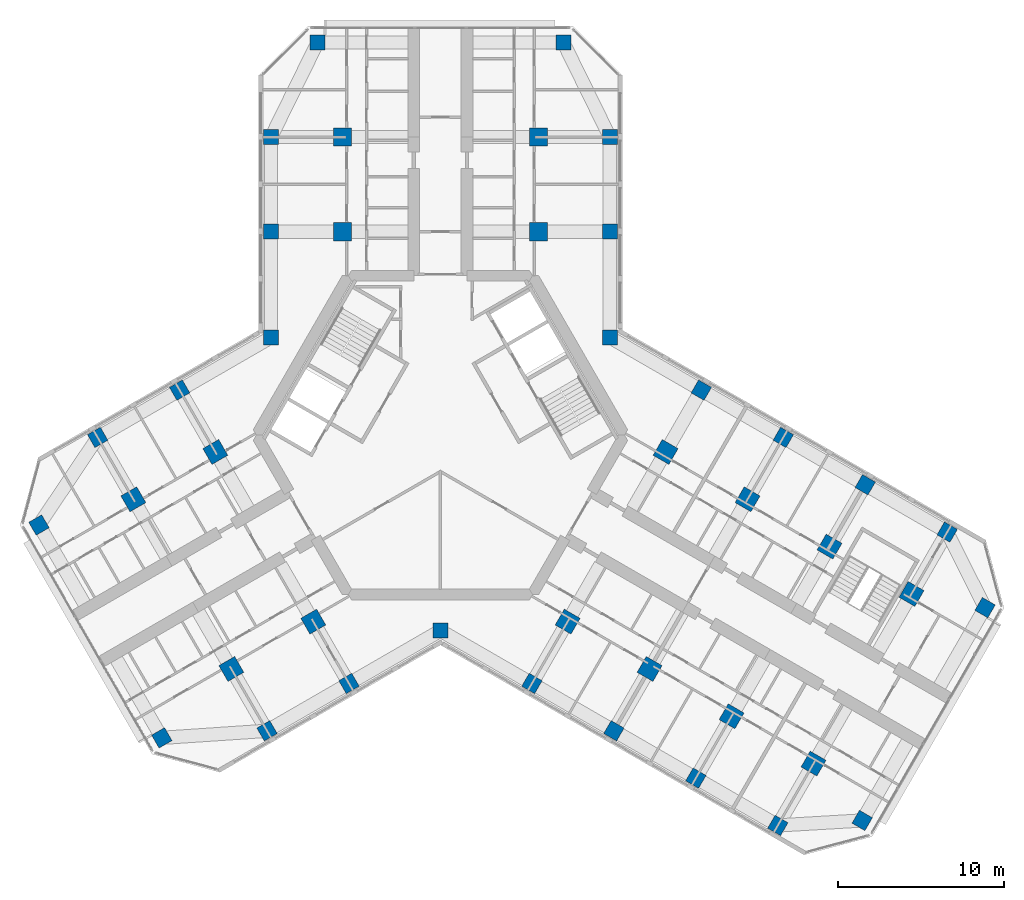
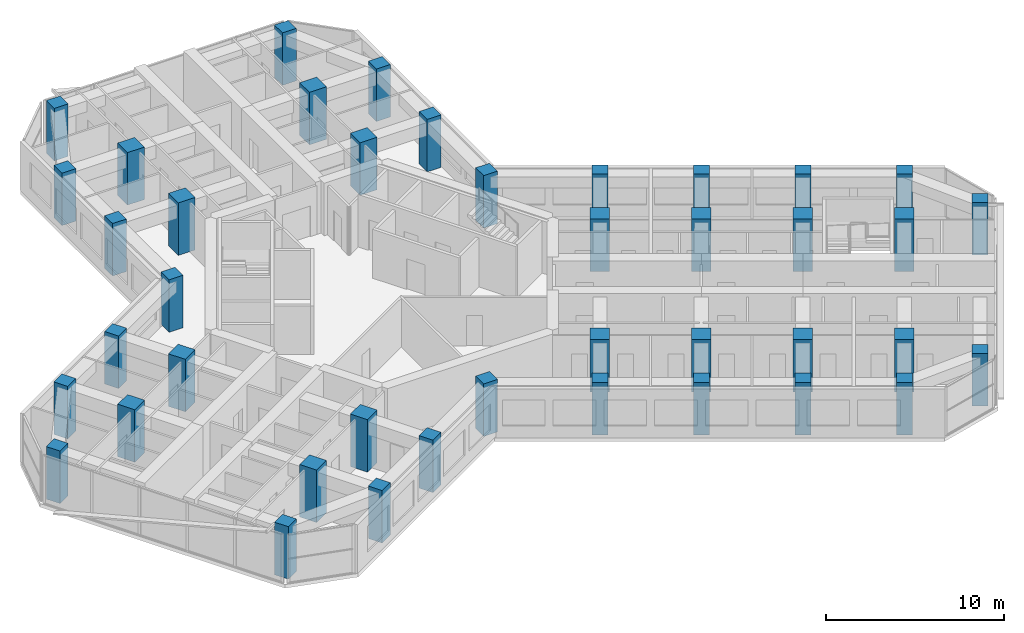
# One storey, part 1 of 16: 41 columns.
"""IFC4 building model written with IfcOpenShell, lengths in metres."""

from ifc_helpers import new_model, si_unit, direction, frame, origin, origin_2d, place, context, subcontext, project, spatial, rectangle, extrude, material, material_profile, profile_set, type_object, element, save


model = new_model("IFC4")

# Units and contexts
model_context = context("Model", 3, precision=1e-05, world=origin(), true_north=direction((0.0, 1.0)))
body_context = subcontext(model_context, "Body", "Model", "MODEL_VIEW")
ifc_project = project(units=[si_unit("LENGTHUNIT", "METRE"), si_unit("AREAUNIT", "SQUARE_METRE"), si_unit("VOLUMEUNIT", "CUBIC_METRE"), si_unit("PLANEANGLEUNIT", "RADIAN"), si_unit("MASSUNIT", "GRAM", prefix="KILO")], contexts=[model_context])

# Site, building, storey
site_placement = place(None, origin())
site = spatial("IfcSite", under=ifc_project, at=site_placement, CompositionType="ELEMENT")
building_placement = place(site_placement, origin())
building = spatial("IfcBuilding", under=site, at=building_placement, Name="Kosmar Iwan School Tower", CompositionType="ELEMENT")
storey_placement = place(building_placement, frame((0.0, 0.0, 201.0)))
storey = spatial("IfcBuildingStorey", under=building, at=storey_placement, Name="L50", CompositionType="ELEMENT", Elevation=201.0)

# Columns
ifc_material_1 = material(Name="Concrete C50/60", Category="concrete")
ifc_material_profile_1 = material_profile(ifc_material_1, rectangle(XDim=0.89990234375, YDim=0.89990234375, at=origin_2d()), Name="RC 900x900 + HD 400x347")
ifc_profile_set_1 = profile_set([ifc_material_profile_1], Name="Concrete C50/60")
column_type_1 = type_object("IfcColumnType", Name="Composite column 900x900 HD 400x347", PredefinedType="COLUMN", material=ifc_profile_set_1)
for number, where, z_axis, x_axis, name in (
    (1, (-10.199951171875, 12.25, 0.0), (0.0, 0.0, 1.0), (0.0, 1.0, 0.0), "Column AL1 L50"),
    (2, (-10.199951171875, 17.949951171875, 0.0), (0.0, 0.0, 1.0), (0.0, 1.0, 0.0), "Column AL2 L50"),
    (3, (-7.39990234375, 23.64990234375, 0.0), (0.0, 0.0, 1.0), (0.0, 1.0, 0.0), "Column ALTIP L50"),
    (4, (10.199951171875, 12.25, 0.0), (0.0, 0.0, 1.0), (0.0, 1.0, 0.0), "Column AR1 L50"),
    (5, (10.199951171875, 17.949951171875, 0.0), (0.0, 0.0, 1.0), (0.0, 1.0, 0.0), "Column AR2 L50"),
    (6, (7.39990234375, 23.64990234375, 0.0), (0.0, 0.0, 1.0), (0.0, 1.0, 0.0), "Column ARTIP L50"),
    (7, (-5.5087890625, -14.95849609375, 0.0), (0.0, 0.0, 1.0), (-0.866025403784, -0.5, 0.0), "Column BL1 L50"),
    (8, (-10.445068359375, -17.808349609375, 0.0), (0.0, 0.0, 1.0), (-0.866025403784, -0.5, 0.0), "Column BL2 L50"),
    (9, (-16.781494140625, -18.233642578125, 0.0), (0.0, 0.0, 1.0), (-0.866025403784, -0.5, 0.0), "Column BLTIP L50"),
    (10, (-15.708740234375, 2.70849609375, 0.0), (0.0, 0.0, 1.0), (-0.866025403784, -0.5, 0.0), "Column BR1 L50"),
    (11, (-20.645263671875, -0.1416015625, 0.0), (0.0, 0.0, 1.0), (-0.866025403784, -0.5, 0.0), "Column BR2 L50"),
    (12, (-24.181396484375, -5.41650390625, 0.0), (0.0, 0.0, 1.0), (-0.866025403784, -0.5, 0.0), "Column BRTIP L50"),
    (13, (15.708740234375, 2.70849609375, 0.0), (0.0, 0.0, 1.0), (0.866025403784, -0.5, 0.0), "Column CL1 L50"),
    (14, (20.645263671875, -0.1416015625, 0.0), (0.0, 0.0, 1.0), (0.866025403784, -0.5, 0.0), "Column CL2 L50"),
    (15, (25.58154296875, -2.991455078125, 0.0), (0.0, 0.0, 1.0), (0.866025403784, -0.5, 0.0), "Column CL3 L50"),
    (16, (30.517822265625, -5.841552734375, 0.0), (0.0, 0.0, 1.0), (0.866025403784, -0.5, 0.0), "Column CL4 L50"),
    (17, (32.79833984375, -10.391357421875, 0.0), (0.0, 0.0, 1.0), (0.866025403784, -0.5, 0.0), "Column CLTIP L50"),
    (18, (5.5087890625, -14.95849609375, 0.0), (0.0, 0.0, 1.0), (0.866025403784, -0.5, 0.0), "Column CR1 L50"),
    (19, (10.445068359375, -17.808349609375, 0.0), (0.0, 0.0, 1.0), (0.866025403784, -0.5, 0.0), "Column CR2 L50"),
    (20, (15.381591796875, -20.658447265625, 0.0), (0.0, 0.0, 1.0), (0.866025403784, -0.5, 0.0), "Column CR3 L50"),
    (21, (20.31787109375, -23.508544921875, 0.0), (0.0, 0.0, 1.0), (0.866025403784, -0.5, 0.0), "Column CR4 L50"),
    (22, (25.3984375, -23.20849609375, 0.0), (0.0, 0.0, 1.0), (0.866025403784, -0.5, 0.0), "Column CRTIP L50"),
    (23, (-10.199951171875, 5.888916015625, 0.0), (0.0, 0.0, 1.0), (1.0, 0.0, 0.0), "Column RAB L50"),
    (24, (10.199951171875, 5.888916015625, 0.0), (0.0, 0.0, 1.0), (1.0, 0.0, 0.0), "Column RAC L50"),
    (25, (0.0, -11.77783203125, 0.0), (0.0, 0.0, 1.0), (1.0, 0.0, 0.0), "Column RBC L50"),
):
    element("IfcColumn", number, at=place(storey_placement, frame(where, z_axis=z_axis, x_axis=x_axis)), inside=storey, type_object=column_type_1, Name=name, PredefinedType="COLUMN", context=body_context, shape_type="SweptSolid", body=[
        extrude(rectangle(XDim=0.89990234375, YDim=0.89990234375, at=origin_2d()), origin(), (0.0, 0.0, 1.0), 3.60009765625),
    ])
ifc_material_2 = material(Name="Concrete C50/60", Category="concrete")
ifc_material_profile_2 = material_profile(ifc_material_2, rectangle(XDim=1.10009765625, YDim=1.10009765625, at=origin_2d()), Name="RC 1100x1100")
ifc_profile_set_2 = profile_set([ifc_material_profile_2], Name="Concrete C50/60")
column_type_2 = type_object("IfcColumnType", Name="RC interior column 1100x1100", PredefinedType="COLUMN", material=ifc_profile_set_2)
for number, where, z_axis, x_axis, name in (
    (26, (-5.89990234375, 12.25, 0.0), (0.0, 0.0, 1.0), (0.0, 1.0, 0.0), "Interior column ALI1 L50"),
    (27, (-5.89990234375, 17.949951171875, 0.0), (0.0, 0.0, 1.0), (0.0, 1.0, 0.0), "Interior column ALI2 L50"),
    (28, (5.89990234375, 12.25, 0.0), (0.0, 0.0, 1.0), (0.0, 1.0, 0.0), "Interior column ARI1 L50"),
    (29, (5.89990234375, 17.949951171875, 0.0), (0.0, 0.0, 1.0), (0.0, 1.0, 0.0), "Interior column ARI2 L50"),
    (30, (-7.65869140625, -11.234619140625, 0.0), (0.0, 0.0, 1.0), (-0.866025403784, -0.5, 0.0), "Interior column BLI1 L50"),
    (31, (-12.59521484375, -14.08447265625, 0.0), (0.0, 0.0, 1.0), (-0.866025403784, -0.5, 0.0), "Interior column BLI2 L50"),
    (32, (-13.558837890625, -1.015380859375, 0.0), (0.0, 0.0, 1.0), (-0.866025403784, -0.5, 0.0), "Interior column BRI1 L50"),
    (33, (-18.4951171875, -3.865478515625, 0.0), (0.0, 0.0, 1.0), (-0.866025403784, -0.5, 0.0), "Interior column BRI2 L50"),
    (34, (13.558837890625, -1.015380859375, 0.0), (0.0, 0.0, 1.0), (0.866025403784, -0.5, 0.0), "Interior column CLI1 L50"),
    (35, (18.4951171875, -3.865478515625, 0.0), (0.0, 0.0, 1.0), (0.866025403784, -0.5, 0.0), "Interior column CLI2 L50"),
    (36, (23.431396484375, -6.71533203125, 0.0), (0.0, 0.0, 1.0), (0.866025403784, -0.5, 0.0), "Interior column CLI3 L50"),
    (37, (28.367919921875, -9.5654296875, 0.0), (0.0, 0.0, 1.0), (0.866025403784, -0.5, 0.0), "Interior column CLI4 L50"),
    (38, (7.65869140625, -11.234619140625, 0.0), (0.0, 0.0, 1.0), (0.866025403784, -0.5, 0.0), "Interior column CRI1 L50"),
    (39, (12.59521484375, -14.08447265625, 0.0), (0.0, 0.0, 1.0), (0.866025403784, -0.5, 0.0), "Interior column CRI2 L50"),
    (40, (17.531494140625, -16.9345703125, 0.0), (0.0, 0.0, 1.0), (0.866025403784, -0.5, 0.0), "Interior column CRI3 L50"),
    (41, (22.4677734375, -19.78466796875, 0.0), (0.0, 0.0, 1.0), (0.866025403784, -0.5, 0.0), "Interior column CRI4 L50"),
):
    element("IfcColumn", number, at=place(storey_placement, frame(where, z_axis=z_axis, x_axis=x_axis)), inside=storey, type_object=column_type_2, Name=name, PredefinedType="COLUMN", context=body_context, shape_type="SweptSolid", body=[
        extrude(rectangle(XDim=1.10009765625, YDim=1.10009765625, at=origin_2d()), origin(), (0.0, 0.0, 1.0), 3.60009765625),
    ])

save(model, "model.ifc")
